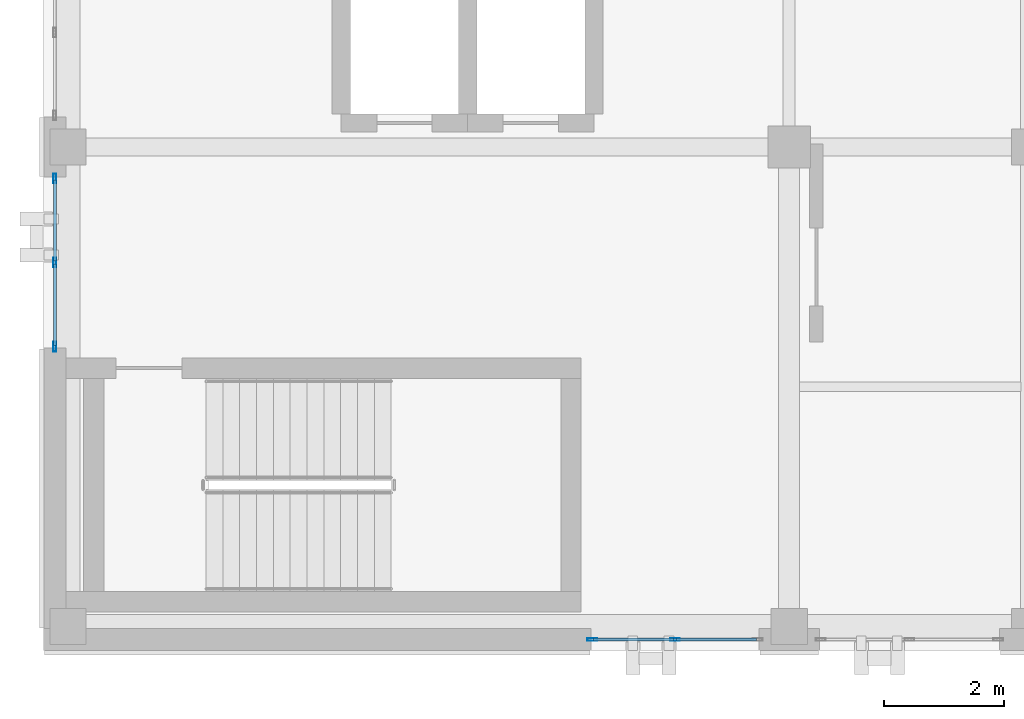
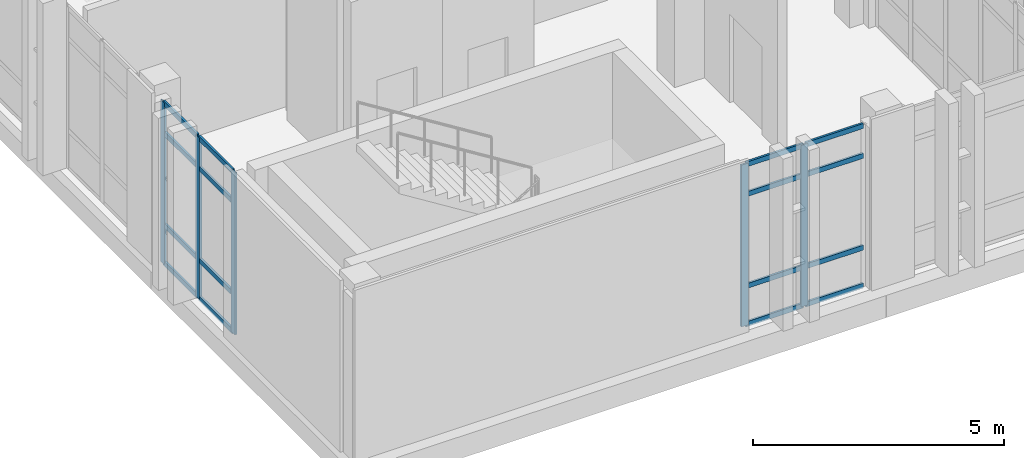
# One storey, part 2 of 77: 21 members, 2 elements without a shape of their own.
"""IFC4 building model written with IfcOpenShell, lengths in metres."""

import ifcopenshell
import ifcopenshell.guid

model = None  # the IFC model being written
_history = None  # IfcOwnerHistory: only IFC2X3 demands one
_inside = {}  # id of a spatial element -> (the spatial element, [elements in it])
_under = {}  # id of a project, library or spatial element -> (it, [spatial elements below it])
_declared = {}  # id of a project -> (the project, [libraries it declares])
_typed = {}  # id of a type object -> (the type object, [elements of that type])
_made_of = {}  # id of a material, layer set ... -> (it, [elements and type objects made of it])


def new_model(schema):
    """Start an empty IFC model of exactly this schema.

    Asked for "IFC4X3", IfcOpenShell would pick the latest addendum, in which some entities
    have other attributes; the version numbers below select the first issue.
    IFC2X3 requires an IfcOwnerHistory on every rooted entity: one is made here for all.
    """
    global model, _history
    if schema == "IFC4X3":
        model = ifcopenshell.file(schema_version=(4, 3, 0, 0))
    else:
        model = ifcopenshell.file(schema=schema)
    _inside.clear()
    _under.clear()
    _declared.clear()
    _typed.clear()
    _made_of.clear()
    _history = None
    if model.schema == "IFC2X3":
        org = make("IfcOrganization", Name="unknown")
        user = make(
            "IfcPersonAndOrganization",
            ThePerson=make("IfcPerson", FamilyName="unknown"),
            TheOrganization=org,
        )
        app = make(
            "IfcApplication",
            ApplicationDeveloper=org,
            Version="unknown",
            ApplicationFullName="unknown",
            ApplicationIdentifier="unknown",
        )
        _history = make(
            "IfcOwnerHistory",
            OwningUser=user,
            OwningApplication=app,
            ChangeAction="ADDED",
            CreationDate=0,
        )
    return model


def make(cls, **values):
    """One entity of the class cls with the attributes given. An attribute that is None is left unset."""
    return model.create_entity(
        cls, **{name: value for name, value in values.items() if value is not None}
    )


def rooted(cls, **values):
    """An entity with a GlobalId (a new one), such as an element, a storey or a relation."""
    return make(cls, GlobalId=ifcopenshell.guid.new(), OwnerHistory=_history, **values)


def si_unit(unit_type, name, prefix=None):
    """IfcSIUnit, for example si_unit("LENGTHUNIT", "METRE", prefix="MILLI")."""
    return make("IfcSIUnit", UnitType=unit_type, Prefix=prefix, Name=name)


def assignment(units):
    """IfcUnitAssignment: the units of a project."""
    return None if units is None else make("IfcUnitAssignment", Units=units)


def point(xyz):
    """IfcCartesianPoint."""
    return None if xyz is None else make("IfcCartesianPoint", Coordinates=xyz)


def direction(xyz):
    """IfcDirection."""
    return None if xyz is None else make("IfcDirection", DirectionRatios=xyz)


def frame(location, z_axis=None, x_axis=None):
    """IfcAxis2Placement3D, a coordinate frame: its origin and axes. An axis left out is left unset."""
    return make(
        "IfcAxis2Placement3D",
        Location=point(location),
        Axis=direction(z_axis),
        RefDirection=direction(x_axis),
    )


def frame_2d(location, x_axis=None):
    """IfcAxis2Placement2D, a coordinate frame in the plane: its origin and x axis."""
    return make(
        "IfcAxis2Placement2D", Location=point(location), RefDirection=direction(x_axis)
    )


def origin():
    """The frame at (0, 0, 0) with its axes left unset."""
    return frame((0.0, 0.0, 0.0))


def origin_2d():
    """The frame at (0, 0) in the plane with its x axis left unset."""
    return frame_2d((0.0, 0.0))


def place(relative_to, where):
    """IfcLocalPlacement: puts the frame where relative to a parent placement (None: the world)."""
    return make(
        "IfcLocalPlacement", PlacementRelTo=relative_to, RelativePlacement=where
    )


def context(
    kind, dimensions, precision=None, world=None, true_north=None, identifier=None
):
    """IfcGeometricRepresentationContext, for example the 3D "Model" context."""
    return make(
        "IfcGeometricRepresentationContext",
        ContextIdentifier=identifier,
        ContextType=kind,
        CoordinateSpaceDimension=dimensions,
        Precision=precision,
        WorldCoordinateSystem=world,
        TrueNorth=true_north,
    )


def subcontext(parent, identifier, kind, view, scale=None):
    """IfcGeometricRepresentationSubContext, for example "Body" below "Model"."""
    return make(
        "IfcGeometricRepresentationSubContext",
        ContextIdentifier=identifier,
        ContextType=kind,
        ParentContext=parent,
        TargetScale=scale,
        TargetView=view,
    )


def project(units=None, contexts=None):
    """IfcProject with its units and contexts."""
    return rooted(
        "IfcProject",
        Name="project",
        RepresentationContexts=contexts,
        UnitsInContext=assignment(units),
    )


def spatial(cls, under=None, at=None, **own):
    """A site, building, storey or space (cls), placed at a placement, below another one or the project."""
    s = rooted(cls, ObjectPlacement=at, **own)
    if under is not None:
        _under.setdefault(under.id(), (under, []))[1].append(s)
    return s


def profile(cls, at=None, kind="AREA", **sizes):
    """A parametric profile (cls). Its sizes go by their IFC names, for example OverallWidth=200.0."""
    return make(cls, ProfileType=kind, Position=at, **sizes)


def hollow_rectangle(**sizes):
    """IfcRectangleHollowProfileDef."""
    return profile("IfcRectangleHollowProfileDef", **sizes)


def extrude(swept, where, along, depth):
    """IfcExtrudedAreaSolid: the profile swept, set in the frame where, extruded along a direction by depth."""
    return make(
        "IfcExtrudedAreaSolid",
        SweptArea=swept,
        Position=where,
        ExtrudedDirection=direction(along),
        Depth=depth,
    )


def shape(context_of_items, identifier, shape_type, items):
    """IfcShapeRepresentation: the items that make up one representation, for example the "Body"."""
    return make(
        "IfcShapeRepresentation",
        ContextOfItems=context_of_items,
        RepresentationIdentifier=identifier,
        RepresentationType=shape_type,
        Items=items,
    )


def material(Name=None, Category=None):
    """IfcMaterial."""
    return make("IfcMaterial", Name=Name, Category=Category)


def layer(
    of_material, thickness, ventilated=None, Name=None, Category=None, Priority=None
):
    """IfcMaterialLayer: one layer of a wall or slab, of a material (None: an air gap)."""
    return make(
        "IfcMaterialLayer",
        Material=of_material,
        LayerThickness=thickness,
        IsVentilated=ventilated,
        Name=Name,
        Category=Category,
        Priority=Priority,
    )


def layer_set(layers, Name=None):
    """IfcMaterialLayerSet."""
    return make("IfcMaterialLayerSet", MaterialLayers=layers, LayerSetName=Name)


def material_profile(
    of_material, cross_section, Name=None, Category=None, Priority=None
):
    """IfcMaterialProfile: a cross section and its material."""
    return make(
        "IfcMaterialProfile",
        Name=Name,
        Material=of_material,
        Profile=cross_section,
        Priority=Priority,
        Category=Category,
    )


def profile_set(profiles, Name=None, composite=None):
    """IfcMaterialProfileSet."""
    return make(
        "IfcMaterialProfileSet",
        Name=Name,
        MaterialProfiles=profiles,
        CompositeProfile=composite,
    )


def made_of(thing, what):
    """Note that an element or type object is made of a material, layer set ...; save() writes the relation."""
    if what is not None:
        _made_of.setdefault(what.id(), (what, []))[1].append(thing)
    return thing


def type_object(cls, material=None, **own):
    """A type object (cls), such as IfcWallType, which elements share."""
    return made_of(rooted(cls, **own), material)


def element(
    cls,
    number,
    at=None,
    inside=None,
    cuts=None,
    type_object=None,
    material=None,
    context=None,
    identifier="Body",
    shape_type=None,
    held_by="IfcProductDefinitionShape",
    body=None,
    shapes=None,
    **own,
):
    """One element of the class cls, such as IfcWall. Its Tag is "e" and its number.

    at: its placement. inside: the storey or other place that contains it. cuts: it is an
    opening in that element (IfcRelVoidsElement). A single representation is given by context,
    identifier, shape_type and body (its items); several are given by shapes. held_by: the class
    of the entity that holds the representations. save() writes the other relations.
    """
    e = rooted(cls, Tag="e%d" % number, ObjectPlacement=at, **own)
    if body is not None:
        shapes = [shape(context, identifier, shape_type, body)]
    if shapes is not None:
        e.Representation = make(held_by, Representations=shapes)
    if inside is not None:
        _inside.setdefault(inside.id(), (inside, []))[1].append(e)
    if cuts is not None:
        rooted(
            "IfcRelVoidsElement", RelatingBuildingElement=cuts, RelatedOpeningElement=e
        )
    if type_object is not None:
        _typed.setdefault(type_object.id(), (type_object, []))[1].append(e)
    return made_of(e, material)


def aggregate(whole, parts):
    """IfcRelAggregates: a whole, such as a stair, and the parts it consists of."""
    return rooted("IfcRelAggregates", RelatingObject=whole, RelatedObjects=parts)


def save(model, path):
    """Write the relations noted so far, then the file.

    IfcRelAggregates (storeys below a building ...), IfcRelContainedInSpatialStructure (elements
    in a storey), IfcRelDefinesByType, IfcRelAssociatesMaterial and IfcRelDeclares: one each for
    every whole, place, type object, material and project.
    """
    for whole, parts in _under.values():
        aggregate(whole, parts)
    for where, things in _inside.values():
        rooted(
            "IfcRelContainedInSpatialStructure",
            RelatedElements=things,
            RelatingStructure=where,
        )
    for kind, things in _typed.values():
        rooted("IfcRelDefinesByType", RelatedObjects=things, RelatingType=kind)
    for what, things in _made_of.values():
        rooted("IfcRelAssociatesMaterial", RelatedObjects=things, RelatingMaterial=what)
    for by, libraries in _declared.values():
        rooted("IfcRelDeclares", RelatingContext=by, RelatedDefinitions=libraries)
    model.write(path)


model = new_model("IFC4")

# Units and contexts
model_context = context("Model", 3, precision=1e-05, world=origin(), true_north=direction((0.0, 1.0)))
body_context = subcontext(model_context, "Body", "Model", "MODEL_VIEW")
ifc_project = project(units=[si_unit("LENGTHUNIT", "METRE"), si_unit("AREAUNIT", "SQUARE_METRE"), si_unit("VOLUMEUNIT", "CUBIC_METRE"), si_unit("PLANEANGLEUNIT", "RADIAN"), si_unit("MASSUNIT", "GRAM", prefix="KILO")], contexts=[model_context])

# Site, building, storey
site_placement = place(None, origin())
site = spatial("IfcSite", under=ifc_project, at=site_placement, CompositionType="ELEMENT")
building_placement = place(site_placement, origin())
building = spatial("IfcBuilding", under=site, at=building_placement, Name="Qalavern Law Courts", CompositionType="ELEMENT")
storey_placement = place(building_placement, frame((0.0, 0.0, 27.0)))
storey = spatial("IfcBuildingStorey", under=building, at=storey_placement, Name="L06", CompositionType="ELEMENT", Elevation=27.0)

# Curtain wall, members
ifc_material_1 = material(Name="Anodised aluminium and insulated glazing", Category="aluminium")
ifc_layer = layer(ifc_material_1, 0.159912109375)
ifc_layer_set = layer_set([ifc_layer], Name="Anodised aluminium and insulated glazing")
curtain_wall_type = type_object("IfcCurtainWallType", Name="ENV-CW-CHAMB", PredefinedType="USERDEFINED", material=ifc_layer_set)
curtain_wall_1_placement = place(storey_placement, origin())
curtain_wall_1 = element("IfcCurtainWall", 1, at=curtain_wall_1_placement, inside=storey, type_object=curtain_wall_type, Name="V3 unitised curtain wall L06 south 1", ObjectType="UNITISED CURTAIN WALL", PredefinedType="USERDEFINED")
ifc_material_2 = material(Name="Anodised aluminium", Category="aluminium")
ifc_material_profile_1 = material_profile(ifc_material_2, hollow_rectangle(XDim=0.048095703125, YDim=0.159912109375, WallThickness=0.00390625, at=origin_2d()), Name="ALU MULLION 48x160")
ifc_profile_set_1 = profile_set([ifc_material_profile_1], Name="Anodised aluminium")
member_type_1 = type_object("IfcMemberType", Name="ENV-CWM-48x160", PredefinedType="MULLION", material=ifc_profile_set_1)
member_1_placement = place(storey_placement, frame((11.1240234375, 41.205078125, 0.0), z_axis=(0.0, 0.0, 1.0), x_axis=(0.0, 1.0, 0.0)))
member_1 = element("IfcMember", 2, at=member_1_placement, type_object=member_type_1, Name="CW-04 mullion 1", PredefinedType="MULLION", context=body_context, shape_type="SweptSolid", body=[
    extrude(hollow_rectangle(XDim=0.048095703125, YDim=0.159912109375, WallThickness=0.00390625, at=origin_2d()), origin(), (0.0, 0.0, 1.0), 3.93505859375),
])
member_2_placement = place(storey_placement, frame((12.5, 41.205078125, 0.0), z_axis=(0.0, 0.0, 1.0), x_axis=(0.0, 1.0, 0.0)))
member_2 = element("IfcMember", 3, at=member_2_placement, type_object=member_type_1, Name="CW-04 mullion 2", PredefinedType="MULLION", context=body_context, shape_type="SweptSolid", body=[
    extrude(hollow_rectangle(XDim=0.048095703125, YDim=0.159912109375, WallThickness=0.00390625, at=origin_2d()), origin(), (0.0, 0.0, 1.0), 3.93505859375),
])

curtain_wall_2_placement = place(storey_placement, origin())
curtain_wall_2 = element("IfcCurtainWall", 4, at=curtain_wall_2_placement, inside=storey, type_object=curtain_wall_type, Name="V3 unitised curtain wall L06 west 5", ObjectType="UNITISED CURTAIN WALL", PredefinedType="USERDEFINED")
member_3_placement = place(storey_placement, frame((2.18505859375, 48.8759765625, 0.0), z_axis=(0.0, 0.0, 1.0), x_axis=(1.0, 0.0, 0.0)))
member_3 = element("IfcMember", 5, at=member_3_placement, type_object=member_type_1, Name="CW-04 mullion 1", PredefinedType="MULLION", context=body_context, shape_type="SweptSolid", body=[
    extrude(hollow_rectangle(XDim=0.048095703125, YDim=0.159912109375, WallThickness=0.00390625, at=origin_2d()), origin(), (0.0, 0.0, 1.0), 3.93505859375),
])
member_4_placement = place(storey_placement, frame((2.18505859375, 47.47509765625, 0.0), z_axis=(0.0, 0.0, 1.0), x_axis=(1.0, 0.0, 0.0)))
member_4 = element("IfcMember", 6, at=member_4_placement, type_object=member_type_1, Name="CW-04 mullion 2", PredefinedType="MULLION", context=body_context, shape_type="SweptSolid", body=[
    extrude(hollow_rectangle(XDim=0.048095703125, YDim=0.159912109375, WallThickness=0.00390625, at=origin_2d()), origin(), (0.0, 0.0, 1.0), 3.93505859375),
])
member_5_placement = place(storey_placement, frame((2.18505859375, 46.073974609375, 0.0), z_axis=(0.0, 0.0, 1.0), x_axis=(1.0, 0.0, 0.0)))
member_5 = element("IfcMember", 7, at=member_5_placement, type_object=member_type_1, Name="CW-04 mullion 3", PredefinedType="MULLION", context=body_context, shape_type="SweptSolid", body=[
    extrude(hollow_rectangle(XDim=0.048095703125, YDim=0.159912109375, WallThickness=0.00390625, at=origin_2d()), origin(), (0.0, 0.0, 1.0), 3.93505859375),
])

# Member
ifc_material_profile_2 = material_profile(ifc_material_2, hollow_rectangle(XDim=0.048095703125, YDim=0.1201171875, WallThickness=0.00390625, at=origin_2d()), Name="ALU TRANSOM 48x120")
ifc_profile_set_2 = profile_set([ifc_material_profile_2], Name="Anodised aluminium")
member_type_2 = type_object("IfcMemberType", Name="ENV-CWT-48x120", PredefinedType="USERDEFINED", material=ifc_profile_set_2)
member_6_placement = place(storey_placement, frame((11.14794921875, 41.205078125, 0.02392578125), z_axis=(1.0, 0.0, 0.0), x_axis=(0.0, 1.0, 0.0)))
member_6 = element("IfcMember", 8, at=member_6_placement, type_object=member_type_2, Name="CW-04 transom 1.1", ObjectType="TRANSOM", PredefinedType="USERDEFINED", context=body_context, shape_type="SweptSolid", body=[
    extrude(hollow_rectangle(XDim=0.048095703125, YDim=0.1201171875, WallThickness=0.00390625, at=origin_2d()), origin(), (0.0, 0.0, 1.0), 1.328125),
])

member_7_placement = place(storey_placement, frame((11.14794921875, 41.205078125, 0.949951171875), z_axis=(1.0, 0.0, 0.0), x_axis=(0.0, 1.0, 0.0)))
member_7 = element("IfcMember", 9, at=member_7_placement, type_object=member_type_2, Name="CW-04 transom 1.2", ObjectType="TRANSOM", PredefinedType="USERDEFINED", context=body_context, shape_type="SweptSolid", body=[
    extrude(hollow_rectangle(XDim=0.048095703125, YDim=0.1201171875, WallThickness=0.00390625, at=origin_2d()), origin(), (0.0, 0.0, 1.0), 1.328125),
])

member_8_placement = place(storey_placement, frame((11.14794921875, 41.205078125, 3.18505859375), z_axis=(1.0, 0.0, 0.0), x_axis=(0.0, 1.0, 0.0)))
member_8 = element("IfcMember", 10, at=member_8_placement, type_object=member_type_2, Name="CW-04 transom 1.3", ObjectType="TRANSOM", PredefinedType="USERDEFINED", context=body_context, shape_type="SweptSolid", body=[
    extrude(hollow_rectangle(XDim=0.048095703125, YDim=0.1201171875, WallThickness=0.00390625, at=origin_2d()), origin(), (0.0, 0.0, 1.0), 1.328125),
])

member_9_placement = place(storey_placement, frame((11.14794921875, 41.205078125, 3.910888671875), z_axis=(1.0, 0.0, 0.0), x_axis=(0.0, 1.0, 0.0)))
member_9 = element("IfcMember", 11, at=member_9_placement, type_object=member_type_2, Name="CW-04 transom 1.4", ObjectType="TRANSOM", PredefinedType="USERDEFINED", context=body_context, shape_type="SweptSolid", body=[
    extrude(hollow_rectangle(XDim=0.048095703125, YDim=0.1201171875, WallThickness=0.00390625, at=origin_2d()), origin(), (0.0, 0.0, 1.0), 1.328125),
])

member_10_placement = place(storey_placement, frame((12.52392578125, 41.205078125, 0.02392578125), z_axis=(1.0, 0.0, 0.0), x_axis=(0.0, 1.0, 0.0)))
member_10 = element("IfcMember", 12, at=member_10_placement, type_object=member_type_2, Name="CW-04 transom 2.1", ObjectType="TRANSOM", PredefinedType="USERDEFINED", context=body_context, shape_type="SweptSolid", body=[
    extrude(hollow_rectangle(XDim=0.048095703125, YDim=0.1201171875, WallThickness=0.00390625, at=origin_2d()), origin(), (0.0, 0.0, 1.0), 1.328125),
])

member_11_placement = place(storey_placement, frame((12.52392578125, 41.205078125, 0.949951171875), z_axis=(1.0, 0.0, 0.0), x_axis=(0.0, 1.0, 0.0)))
member_11 = element("IfcMember", 13, at=member_11_placement, type_object=member_type_2, Name="CW-04 transom 2.2", ObjectType="TRANSOM", PredefinedType="USERDEFINED", context=body_context, shape_type="SweptSolid", body=[
    extrude(hollow_rectangle(XDim=0.048095703125, YDim=0.1201171875, WallThickness=0.00390625, at=origin_2d()), origin(), (0.0, 0.0, 1.0), 1.328125),
])

member_12_placement = place(storey_placement, frame((12.52392578125, 41.205078125, 3.18505859375), z_axis=(1.0, 0.0, 0.0), x_axis=(0.0, 1.0, 0.0)))
member_12 = element("IfcMember", 14, at=member_12_placement, type_object=member_type_2, Name="CW-04 transom 2.3", ObjectType="TRANSOM", PredefinedType="USERDEFINED", context=body_context, shape_type="SweptSolid", body=[
    extrude(hollow_rectangle(XDim=0.048095703125, YDim=0.1201171875, WallThickness=0.00390625, at=origin_2d()), origin(), (0.0, 0.0, 1.0), 1.328125),
])

member_13_placement = place(storey_placement, frame((12.52392578125, 41.205078125, 3.910888671875), z_axis=(1.0, 0.0, 0.0), x_axis=(0.0, 1.0, 0.0)))
member_13 = element("IfcMember", 15, at=member_13_placement, type_object=member_type_2, Name="CW-04 transom 2.4", ObjectType="TRANSOM", PredefinedType="USERDEFINED", context=body_context, shape_type="SweptSolid", body=[
    extrude(hollow_rectangle(XDim=0.048095703125, YDim=0.1201171875, WallThickness=0.00390625, at=origin_2d()), origin(), (0.0, 0.0, 1.0), 1.328125),
])

aggregate(curtain_wall_1, [member_1, member_2, member_6, member_7, member_8, member_9, member_10, member_11, member_12, member_13])

member_14_placement = place(storey_placement, frame((2.18505859375, 48.85205078125, 0.02392578125), z_axis=(0.0, -1.0, 0.0), x_axis=(1.0, 0.0, 0.0)))
member_14 = element("IfcMember", 16, at=member_14_placement, type_object=member_type_2, Name="CW-04 transom 1.1", ObjectType="TRANSOM", PredefinedType="USERDEFINED", context=body_context, shape_type="SweptSolid", body=[
    extrude(hollow_rectangle(XDim=0.048095703125, YDim=0.1201171875, WallThickness=0.00390625, at=origin_2d()), origin(), (0.0, 0.0, 1.0), 1.35302734375),
])

member_15_placement = place(storey_placement, frame((2.18505859375, 48.85205078125, 0.949951171875), z_axis=(0.0, -1.0, 0.0), x_axis=(1.0, 0.0, 0.0)))
member_15 = element("IfcMember", 17, at=member_15_placement, type_object=member_type_2, Name="CW-04 transom 1.2", ObjectType="TRANSOM", PredefinedType="USERDEFINED", context=body_context, shape_type="SweptSolid", body=[
    extrude(hollow_rectangle(XDim=0.048095703125, YDim=0.1201171875, WallThickness=0.00390625, at=origin_2d()), origin(), (0.0, 0.0, 1.0), 1.35302734375),
])

member_16_placement = place(storey_placement, frame((2.18505859375, 48.85205078125, 3.18505859375), z_axis=(0.0, -1.0, 0.0), x_axis=(1.0, 0.0, 0.0)))
member_16 = element("IfcMember", 18, at=member_16_placement, type_object=member_type_2, Name="CW-04 transom 1.3", ObjectType="TRANSOM", PredefinedType="USERDEFINED", context=body_context, shape_type="SweptSolid", body=[
    extrude(hollow_rectangle(XDim=0.048095703125, YDim=0.1201171875, WallThickness=0.00390625, at=origin_2d()), origin(), (0.0, 0.0, 1.0), 1.35302734375),
])

member_17_placement = place(storey_placement, frame((2.18505859375, 48.85205078125, 3.910888671875), z_axis=(0.0, -1.0, 0.0), x_axis=(1.0, 0.0, 0.0)))
member_17 = element("IfcMember", 19, at=member_17_placement, type_object=member_type_2, Name="CW-04 transom 1.4", ObjectType="TRANSOM", PredefinedType="USERDEFINED", context=body_context, shape_type="SweptSolid", body=[
    extrude(hollow_rectangle(XDim=0.048095703125, YDim=0.1201171875, WallThickness=0.00390625, at=origin_2d()), origin(), (0.0, 0.0, 1.0), 1.35302734375),
])

member_18_placement = place(storey_placement, frame((2.18505859375, 47.450927734375, 0.02392578125), z_axis=(0.0, -1.0, 0.0), x_axis=(1.0, 0.0, 0.0)))
member_18 = element("IfcMember", 20, at=member_18_placement, type_object=member_type_2, Name="CW-04 transom 2.1", ObjectType="TRANSOM", PredefinedType="USERDEFINED", context=body_context, shape_type="SweptSolid", body=[
    extrude(hollow_rectangle(XDim=0.048095703125, YDim=0.1201171875, WallThickness=0.00390625, at=origin_2d()), origin(), (0.0, 0.0, 1.0), 1.35302734375),
])

member_19_placement = place(storey_placement, frame((2.18505859375, 47.450927734375, 0.949951171875), z_axis=(0.0, -1.0, 0.0), x_axis=(1.0, 0.0, 0.0)))
member_19 = element("IfcMember", 21, at=member_19_placement, type_object=member_type_2, Name="CW-04 transom 2.2", ObjectType="TRANSOM", PredefinedType="USERDEFINED", context=body_context, shape_type="SweptSolid", body=[
    extrude(hollow_rectangle(XDim=0.048095703125, YDim=0.1201171875, WallThickness=0.00390625, at=origin_2d()), origin(), (0.0, 0.0, 1.0), 1.35302734375),
])

member_20_placement = place(storey_placement, frame((2.18505859375, 47.450927734375, 3.18505859375), z_axis=(0.0, -1.0, 0.0), x_axis=(1.0, 0.0, 0.0)))
member_20 = element("IfcMember", 22, at=member_20_placement, type_object=member_type_2, Name="CW-04 transom 2.3", ObjectType="TRANSOM", PredefinedType="USERDEFINED", context=body_context, shape_type="SweptSolid", body=[
    extrude(hollow_rectangle(XDim=0.048095703125, YDim=0.1201171875, WallThickness=0.00390625, at=origin_2d()), origin(), (0.0, 0.0, 1.0), 1.35302734375),
])

member_21_placement = place(storey_placement, frame((2.18505859375, 47.450927734375, 3.910888671875), z_axis=(0.0, -1.0, 0.0), x_axis=(1.0, 0.0, 0.0)))
member_21 = element("IfcMember", 23, at=member_21_placement, type_object=member_type_2, Name="CW-04 transom 2.4", ObjectType="TRANSOM", PredefinedType="USERDEFINED", context=body_context, shape_type="SweptSolid", body=[
    extrude(hollow_rectangle(XDim=0.048095703125, YDim=0.1201171875, WallThickness=0.00390625, at=origin_2d()), origin(), (0.0, 0.0, 1.0), 1.35302734375),
])

aggregate(curtain_wall_2, [member_3, member_4, member_5, member_14, member_15, member_16, member_17, member_18, member_19, member_20, member_21])

save(model, "model.ifc")
